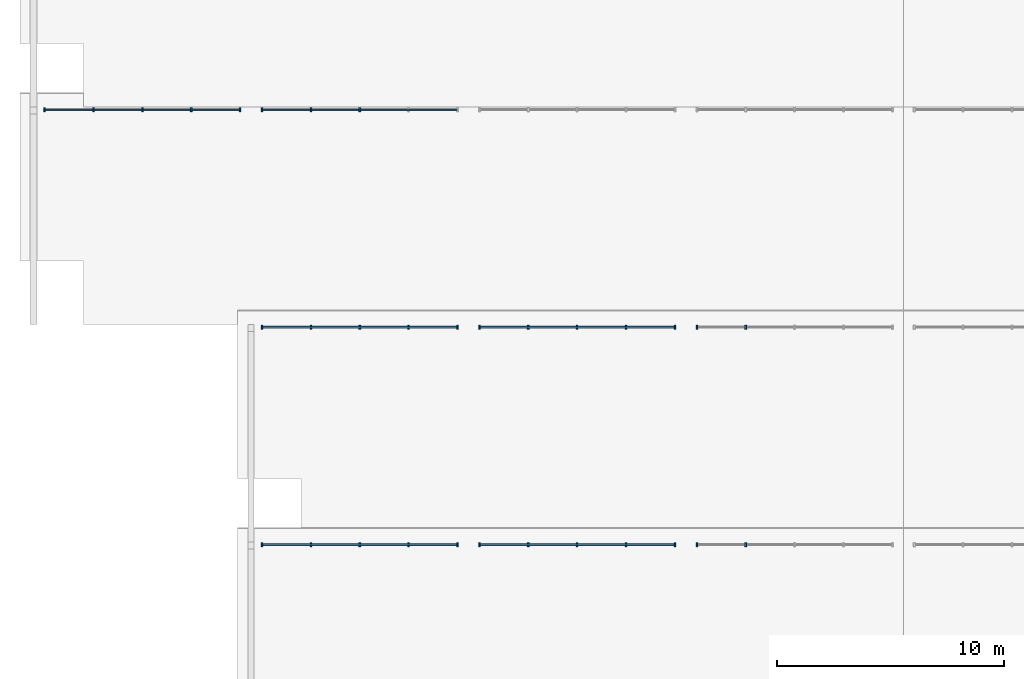
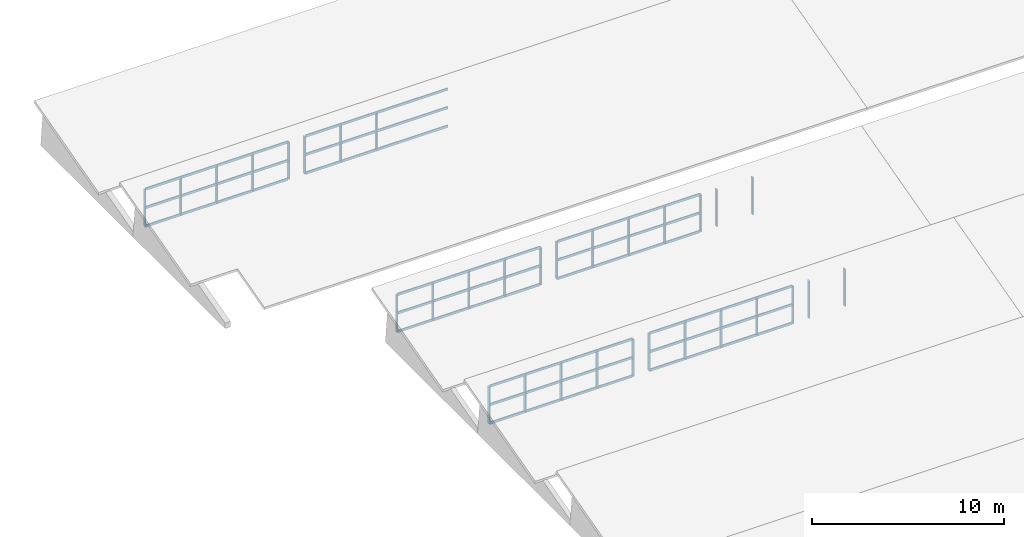
# One storey, part 4 of 18: 50 members, 8 elements without a shape of their own.
"""IFC4 building model written with IfcOpenShell, lengths in metres."""

from ifc_helpers import new_model, si_unit, direction, frame, origin, origin_2d, place, context, subcontext, project, spatial, rectangle, extrude, material, layer, layer_set, material_profile, profile_set, type_object, element, aggregate, save


model = new_model("IFC4")

# Units and contexts
model_context = context("Model", 3, precision=1e-05, world=origin(), true_north=direction((0.0, 1.0)))
body_context = subcontext(model_context, "Body", "Model", "MODEL_VIEW")
ifc_project = project(units=[si_unit("LENGTHUNIT", "METRE"), si_unit("AREAUNIT", "SQUARE_METRE"), si_unit("VOLUMEUNIT", "CUBIC_METRE"), si_unit("PLANEANGLEUNIT", "RADIAN"), si_unit("MASSUNIT", "GRAM", prefix="KILO")], contexts=[model_context])

# Site, building, storey
site_placement = place(None, origin())
site = spatial("IfcSite", under=ifc_project, at=site_placement, CompositionType="ELEMENT")
building_placement = place(site_placement, origin())
building = spatial("IfcBuilding", under=site, at=building_placement, Name="Bempovik Park Faculty of Sciences", CompositionType="ELEMENT")
storey_placement = place(building_placement, frame((0.0, 0.0, 50.10009765625)))
storey = spatial("IfcBuildingStorey", under=building, at=storey_placement, Name="Roof", CompositionType="ELEMENT", Elevation=50.10009765625)

# Curtain wall, members
ifc_material_1 = material(Name="Tempered laminated low-E glass", Category="glass")
ifc_layer_1 = layer(ifc_material_1, 0.159912109375)
ifc_layer_set_1 = layer_set([ifc_layer_1], Name="Tempered laminated low-E glass")
curtain_wall_type_1 = type_object("IfcCurtainWallType", Name="CW-17 Curtain 7200x2550", PredefinedType="USERDEFINED", material=ifc_layer_set_1)
curtain_wall_1_placement = place(storey_placement, origin())
curtain_wall_1 = element("IfcCurtainWall", 1, at=curtain_wall_1_placement, inside=storey, type_object=curtain_wall_type_1, Name="V1 Sawtooth North-Light Clerestory Bay 4 (60.0-69.6)", ObjectType="NORTH LIGHT CLERESTORY", PredefinedType="USERDEFINED")
ifc_material_2 = material(Name="Anodised aluminium", Category="aluminium")
ifc_material_profile_1 = material_profile(ifc_material_2, rectangle(XDim=0.070068359375, YDim=0.179931640625, at=origin_2d()), Name="ALU-M 70x180")
ifc_profile_set_1 = profile_set([ifc_material_profile_1], Name="Anodised aluminium")
member_type_1 = type_object("IfcMemberType", Name="ML-26 ALU-M 70x180", PredefinedType="MULLION", material=ifc_profile_set_1)
member_1_placement = place(storey_placement, frame((60.47998046875, 58.080078125, -30.2001953125), z_axis=(0.0, 0.0, 1.0), x_axis=(1.0, 0.0, 0.0)))
member_1 = element("IfcMember", 2, at=member_1_placement, type_object=member_type_1, Name="CW-NL-V1-B4-600 Mullion 0", PredefinedType="MULLION", context=body_context, shape_type="SweptSolid", body=[
    extrude(rectangle(XDim=0.070068359375, YDim=0.179931640625, at=origin_2d()), origin(), (0.0, 0.0, 1.0), 2.352294921875),
])
member_2_placement = place(storey_placement, frame((62.639892578125, 58.080078125, -30.2001953125), z_axis=(0.0, 0.0, 1.0), x_axis=(1.0, 0.0, 0.0)))
member_2 = element("IfcMember", 3, at=member_2_placement, type_object=member_type_1, Name="CW-NL-V1-B4-600 Mullion 1", PredefinedType="MULLION", context=body_context, shape_type="SweptSolid", body=[
    extrude(rectangle(XDim=0.070068359375, YDim=0.179931640625, at=origin_2d()), origin(), (0.0, 0.0, 1.0), 2.352294921875),
])
member_3_placement = place(storey_placement, frame((64.800048828125, 58.080078125, -30.2001953125), z_axis=(0.0, 0.0, 1.0), x_axis=(1.0, 0.0, 0.0)))
member_3 = element("IfcMember", 4, at=member_3_placement, type_object=member_type_1, Name="CW-NL-V1-B4-600 Mullion 2", PredefinedType="MULLION", context=body_context, shape_type="SweptSolid", body=[
    extrude(rectangle(XDim=0.070068359375, YDim=0.179931640625, at=origin_2d()), origin(), (0.0, 0.0, 1.0), 2.352294921875),
])
member_4_placement = place(storey_placement, frame((66.9599609375, 58.080078125, -30.2001953125), z_axis=(0.0, 0.0, 1.0), x_axis=(1.0, 0.0, 0.0)))
member_4 = element("IfcMember", 5, at=member_4_placement, type_object=member_type_1, Name="CW-NL-V1-B4-600 Mullion 3", PredefinedType="MULLION", context=body_context, shape_type="SweptSolid", body=[
    extrude(rectangle(XDim=0.070068359375, YDim=0.179931640625, at=origin_2d()), origin(), (0.0, 0.0, 1.0), 2.352294921875),
])
member_5_placement = place(storey_placement, frame((69.1201171875, 58.080078125, -30.2001953125), z_axis=(0.0, 0.0, 1.0), x_axis=(1.0, 0.0, 0.0)))
member_5 = element("IfcMember", 6, at=member_5_placement, type_object=member_type_1, Name="CW-NL-V1-B4-600 Mullion 4", PredefinedType="MULLION", context=body_context, shape_type="SweptSolid", body=[
    extrude(rectangle(XDim=0.070068359375, YDim=0.179931640625, at=origin_2d()), origin(), (0.0, 0.0, 1.0), 2.352294921875),
])

ifc_layer_2 = layer(ifc_material_1, 0.159912109375)
ifc_layer_set_2 = layer_set([ifc_layer_2], Name="Tempered laminated low-E glass")
curtain_wall_type_2 = type_object("IfcCurtainWallType", Name="CW-53 Curtain 8000x2550", PredefinedType="USERDEFINED", material=ifc_layer_set_2)
curtain_wall_2_placement = place(storey_placement, origin())
curtain_wall_2 = element("IfcCurtainWall", 7, at=curtain_wall_2_placement, inside=storey, type_object=curtain_wall_type_2, Name="V1 Sawtooth North-Light Clerestory Bay 4 (69.6-79.2)", ObjectType="NORTH LIGHT CLERESTORY", PredefinedType="USERDEFINED")
member_6_placement = place(storey_placement, frame((70.080078125, 58.080078125, -30.2001953125), z_axis=(0.0, 0.0, 1.0), x_axis=(1.0, 0.0, 0.0)))
member_6 = element("IfcMember", 8, at=member_6_placement, type_object=member_type_1, Name="CW-NL-V1-B4-696 Mullion 0", PredefinedType="MULLION", context=body_context, shape_type="SweptSolid", body=[
    extrude(rectangle(XDim=0.070068359375, YDim=0.179931640625, at=origin_2d()), origin(), (0.0, 0.0, 1.0), 2.352294921875),
])
member_7_placement = place(storey_placement, frame((72.239990234375, 58.080078125, -30.2001953125), z_axis=(0.0, 0.0, 1.0), x_axis=(1.0, 0.0, 0.0)))
member_7 = element("IfcMember", 9, at=member_7_placement, type_object=member_type_1, Name="CW-NL-V1-B4-696 Mullion 1", PredefinedType="MULLION", context=body_context, shape_type="SweptSolid", body=[
    extrude(rectangle(XDim=0.070068359375, YDim=0.179931640625, at=origin_2d()), origin(), (0.0, 0.0, 1.0), 2.352294921875),
])
member_8_placement = place(storey_placement, frame((74.39990234375, 58.080078125, -30.2001953125), z_axis=(0.0, 0.0, 1.0), x_axis=(1.0, 0.0, 0.0)))
member_8 = element("IfcMember", 10, at=member_8_placement, type_object=member_type_1, Name="CW-NL-V1-B4-696 Mullion 2", PredefinedType="MULLION", context=body_context, shape_type="SweptSolid", body=[
    extrude(rectangle(XDim=0.070068359375, YDim=0.179931640625, at=origin_2d()), origin(), (0.0, 0.0, 1.0), 2.352294921875),
])
member_9_placement = place(storey_placement, frame((76.56005859375, 58.080078125, -30.2001953125), z_axis=(0.0, 0.0, 1.0), x_axis=(1.0, 0.0, 0.0)))
member_9 = element("IfcMember", 11, at=member_9_placement, type_object=member_type_1, Name="CW-NL-V1-B4-696 Mullion 3", PredefinedType="MULLION", context=body_context, shape_type="SweptSolid", body=[
    extrude(rectangle(XDim=0.070068359375, YDim=0.179931640625, at=origin_2d()), origin(), (0.0, 0.0, 1.0), 2.352294921875),
])
member_10_placement = place(storey_placement, frame((78.719970703125, 58.080078125, -30.2001953125), z_axis=(0.0, 0.0, 1.0), x_axis=(1.0, 0.0, 0.0)))
member_10 = element("IfcMember", 12, at=member_10_placement, type_object=member_type_1, Name="CW-NL-V1-B4-696 Mullion 4", PredefinedType="MULLION", context=body_context, shape_type="SweptSolid", body=[
    extrude(rectangle(XDim=0.070068359375, YDim=0.179931640625, at=origin_2d()), origin(), (0.0, 0.0, 1.0), 2.352294921875),
])

curtain_wall_3_placement = place(storey_placement, origin())
curtain_wall_3 = element("IfcCurtainWall", 13, at=curtain_wall_3_placement, inside=storey, type_object=curtain_wall_type_2, Name="V1 Sawtooth North-Light Clerestory Bay 4 (79.2-88.8)", ObjectType="NORTH LIGHT CLERESTORY", PredefinedType="USERDEFINED")
member_11_placement = place(storey_placement, frame((79.679931640625, 58.080078125, -30.2001953125), z_axis=(0.0, 0.0, 1.0), x_axis=(1.0, 0.0, 0.0)))
member_11 = element("IfcMember", 14, at=member_11_placement, type_object=member_type_1, Name="CW-NL-V1-B4-792 Mullion 0", PredefinedType="MULLION", context=body_context, shape_type="SweptSolid", body=[
    extrude(rectangle(XDim=0.070068359375, YDim=0.179931640625, at=origin_2d()), origin(), (0.0, 0.0, 1.0), 2.352294921875),
])
member_12_placement = place(storey_placement, frame((81.840087890625, 58.080078125, -30.2001953125), z_axis=(0.0, 0.0, 1.0), x_axis=(1.0, 0.0, 0.0)))
member_12 = element("IfcMember", 15, at=member_12_placement, type_object=member_type_1, Name="CW-NL-V1-B4-792 Mullion 1", PredefinedType="MULLION", context=body_context, shape_type="SweptSolid", body=[
    extrude(rectangle(XDim=0.070068359375, YDim=0.179931640625, at=origin_2d()), origin(), (0.0, 0.0, 1.0), 2.352294921875),
])
aggregate(curtain_wall_3, [member_11, member_12])

curtain_wall_4_placement = place(storey_placement, origin())
curtain_wall_4 = element("IfcCurtainWall", 16, at=curtain_wall_4_placement, inside=storey, type_object=curtain_wall_type_1, Name="V1 Sawtooth North-Light Clerestory Bay 5 (60.0-69.6)", ObjectType="NORTH LIGHT CLERESTORY", PredefinedType="USERDEFINED")
member_13_placement = place(storey_placement, frame((60.47998046875, 67.679931640625, -30.2001953125), z_axis=(0.0, 0.0, 1.0), x_axis=(1.0, 0.0, 0.0)))
member_13 = element("IfcMember", 17, at=member_13_placement, type_object=member_type_1, Name="CW-NL-V1-B5-600 Mullion 0", PredefinedType="MULLION", context=body_context, shape_type="SweptSolid", body=[
    extrude(rectangle(XDim=0.070068359375, YDim=0.179931640625, at=origin_2d()), origin(), (0.0, 0.0, 1.0), 2.352294921875),
])
member_14_placement = place(storey_placement, frame((62.639892578125, 67.679931640625, -30.2001953125), z_axis=(0.0, 0.0, 1.0), x_axis=(1.0, 0.0, 0.0)))
member_14 = element("IfcMember", 18, at=member_14_placement, type_object=member_type_1, Name="CW-NL-V1-B5-600 Mullion 1", PredefinedType="MULLION", context=body_context, shape_type="SweptSolid", body=[
    extrude(rectangle(XDim=0.070068359375, YDim=0.179931640625, at=origin_2d()), origin(), (0.0, 0.0, 1.0), 2.352294921875),
])
member_15_placement = place(storey_placement, frame((64.800048828125, 67.679931640625, -30.2001953125), z_axis=(0.0, 0.0, 1.0), x_axis=(1.0, 0.0, 0.0)))
member_15 = element("IfcMember", 19, at=member_15_placement, type_object=member_type_1, Name="CW-NL-V1-B5-600 Mullion 2", PredefinedType="MULLION", context=body_context, shape_type="SweptSolid", body=[
    extrude(rectangle(XDim=0.070068359375, YDim=0.179931640625, at=origin_2d()), origin(), (0.0, 0.0, 1.0), 2.352294921875),
])
member_16_placement = place(storey_placement, frame((66.9599609375, 67.679931640625, -30.2001953125), z_axis=(0.0, 0.0, 1.0), x_axis=(1.0, 0.0, 0.0)))
member_16 = element("IfcMember", 20, at=member_16_placement, type_object=member_type_1, Name="CW-NL-V1-B5-600 Mullion 3", PredefinedType="MULLION", context=body_context, shape_type="SweptSolid", body=[
    extrude(rectangle(XDim=0.070068359375, YDim=0.179931640625, at=origin_2d()), origin(), (0.0, 0.0, 1.0), 2.352294921875),
])
member_17_placement = place(storey_placement, frame((69.1201171875, 67.679931640625, -30.2001953125), z_axis=(0.0, 0.0, 1.0), x_axis=(1.0, 0.0, 0.0)))
member_17 = element("IfcMember", 21, at=member_17_placement, type_object=member_type_1, Name="CW-NL-V1-B5-600 Mullion 4", PredefinedType="MULLION", context=body_context, shape_type="SweptSolid", body=[
    extrude(rectangle(XDim=0.070068359375, YDim=0.179931640625, at=origin_2d()), origin(), (0.0, 0.0, 1.0), 2.352294921875),
])

curtain_wall_5_placement = place(storey_placement, origin())
curtain_wall_5 = element("IfcCurtainWall", 22, at=curtain_wall_5_placement, inside=storey, type_object=curtain_wall_type_2, Name="V1 Sawtooth North-Light Clerestory Bay 5 (69.6-79.2)", ObjectType="NORTH LIGHT CLERESTORY", PredefinedType="USERDEFINED")
member_18_placement = place(storey_placement, frame((70.080078125, 67.679931640625, -30.2001953125), z_axis=(0.0, 0.0, 1.0), x_axis=(1.0, 0.0, 0.0)))
member_18 = element("IfcMember", 23, at=member_18_placement, type_object=member_type_1, Name="CW-NL-V1-B5-696 Mullion 0", PredefinedType="MULLION", context=body_context, shape_type="SweptSolid", body=[
    extrude(rectangle(XDim=0.070068359375, YDim=0.179931640625, at=origin_2d()), origin(), (0.0, 0.0, 1.0), 2.352294921875),
])
member_19_placement = place(storey_placement, frame((72.239990234375, 67.679931640625, -30.2001953125), z_axis=(0.0, 0.0, 1.0), x_axis=(1.0, 0.0, 0.0)))
member_19 = element("IfcMember", 24, at=member_19_placement, type_object=member_type_1, Name="CW-NL-V1-B5-696 Mullion 1", PredefinedType="MULLION", context=body_context, shape_type="SweptSolid", body=[
    extrude(rectangle(XDim=0.070068359375, YDim=0.179931640625, at=origin_2d()), origin(), (0.0, 0.0, 1.0), 2.352294921875),
])
member_20_placement = place(storey_placement, frame((74.39990234375, 67.679931640625, -30.2001953125), z_axis=(0.0, 0.0, 1.0), x_axis=(1.0, 0.0, 0.0)))
member_20 = element("IfcMember", 25, at=member_20_placement, type_object=member_type_1, Name="CW-NL-V1-B5-696 Mullion 2", PredefinedType="MULLION", context=body_context, shape_type="SweptSolid", body=[
    extrude(rectangle(XDim=0.070068359375, YDim=0.179931640625, at=origin_2d()), origin(), (0.0, 0.0, 1.0), 2.352294921875),
])
member_21_placement = place(storey_placement, frame((76.56005859375, 67.679931640625, -30.2001953125), z_axis=(0.0, 0.0, 1.0), x_axis=(1.0, 0.0, 0.0)))
member_21 = element("IfcMember", 26, at=member_21_placement, type_object=member_type_1, Name="CW-NL-V1-B5-696 Mullion 3", PredefinedType="MULLION", context=body_context, shape_type="SweptSolid", body=[
    extrude(rectangle(XDim=0.070068359375, YDim=0.179931640625, at=origin_2d()), origin(), (0.0, 0.0, 1.0), 2.352294921875),
])
member_22_placement = place(storey_placement, frame((78.719970703125, 67.679931640625, -30.2001953125), z_axis=(0.0, 0.0, 1.0), x_axis=(1.0, 0.0, 0.0)))
member_22 = element("IfcMember", 27, at=member_22_placement, type_object=member_type_1, Name="CW-NL-V1-B5-696 Mullion 4", PredefinedType="MULLION", context=body_context, shape_type="SweptSolid", body=[
    extrude(rectangle(XDim=0.070068359375, YDim=0.179931640625, at=origin_2d()), origin(), (0.0, 0.0, 1.0), 2.352294921875),
])

curtain_wall_6_placement = place(storey_placement, origin())
curtain_wall_6 = element("IfcCurtainWall", 28, at=curtain_wall_6_placement, inside=storey, type_object=curtain_wall_type_2, Name="V1 Sawtooth North-Light Clerestory Bay 5 (79.2-88.8)", ObjectType="NORTH LIGHT CLERESTORY", PredefinedType="USERDEFINED")
member_23_placement = place(storey_placement, frame((79.679931640625, 67.679931640625, -30.2001953125), z_axis=(0.0, 0.0, 1.0), x_axis=(1.0, 0.0, 0.0)))
member_23 = element("IfcMember", 29, at=member_23_placement, type_object=member_type_1, Name="CW-NL-V1-B5-792 Mullion 0", PredefinedType="MULLION", context=body_context, shape_type="SweptSolid", body=[
    extrude(rectangle(XDim=0.070068359375, YDim=0.179931640625, at=origin_2d()), origin(), (0.0, 0.0, 1.0), 2.352294921875),
])
member_24_placement = place(storey_placement, frame((81.840087890625, 67.679931640625, -30.2001953125), z_axis=(0.0, 0.0, 1.0), x_axis=(1.0, 0.0, 0.0)))
member_24 = element("IfcMember", 30, at=member_24_placement, type_object=member_type_1, Name="CW-NL-V1-B5-792 Mullion 1", PredefinedType="MULLION", context=body_context, shape_type="SweptSolid", body=[
    extrude(rectangle(XDim=0.070068359375, YDim=0.179931640625, at=origin_2d()), origin(), (0.0, 0.0, 1.0), 2.352294921875),
])
aggregate(curtain_wall_6, [member_23, member_24])

ifc_layer_3 = layer(ifc_material_1, 0.159912109375)
ifc_layer_set_3 = layer_set([ifc_layer_3], Name="Tempered laminated low-E glass")
curtain_wall_type_3 = type_object("IfcCurtainWallType", Name="CW-29 Curtain 6400x2550", PredefinedType="USERDEFINED", material=ifc_layer_set_3)
curtain_wall_7_placement = place(storey_placement, origin())
curtain_wall_7 = element("IfcCurtainWall", 31, at=curtain_wall_7_placement, inside=storey, type_object=curtain_wall_type_3, Name="V2 Atrium Sawtooth North-Light Clerestory Bay 1 (50.4-60.0)", ObjectType="NORTH LIGHT CLERESTORY", PredefinedType="USERDEFINED")
member_25_placement = place(storey_placement, frame((50.8798828125, 77.280029296875, -25.97021484375), z_axis=(0.0, 0.0, 1.0), x_axis=(1.0, 0.0, 0.0)))
member_25 = element("IfcMember", 32, at=member_25_placement, type_object=member_type_1, Name="CW-NL-V2-B1-504 Mullion 0", PredefinedType="MULLION", context=body_context, shape_type="SweptSolid", body=[
    extrude(rectangle(XDim=0.070068359375, YDim=0.179931640625, at=origin_2d()), origin(), (0.0, 0.0, 1.0), 2.3525390625),
])
member_26_placement = place(storey_placement, frame((53.0400390625, 77.280029296875, -25.97021484375), z_axis=(0.0, 0.0, 1.0), x_axis=(1.0, 0.0, 0.0)))
member_26 = element("IfcMember", 33, at=member_26_placement, type_object=member_type_1, Name="CW-NL-V2-B1-504 Mullion 1", PredefinedType="MULLION", context=body_context, shape_type="SweptSolid", body=[
    extrude(rectangle(XDim=0.070068359375, YDim=0.179931640625, at=origin_2d()), origin(), (0.0, 0.0, 1.0), 2.3525390625),
])
member_27_placement = place(storey_placement, frame((55.199951171875, 77.280029296875, -25.97021484375), z_axis=(0.0, 0.0, 1.0), x_axis=(1.0, 0.0, 0.0)))
member_27 = element("IfcMember", 34, at=member_27_placement, type_object=member_type_1, Name="CW-NL-V2-B1-504 Mullion 2", PredefinedType="MULLION", context=body_context, shape_type="SweptSolid", body=[
    extrude(rectangle(XDim=0.070068359375, YDim=0.179931640625, at=origin_2d()), origin(), (0.0, 0.0, 1.0), 2.3525390625),
])
member_28_placement = place(storey_placement, frame((57.360107421875, 77.280029296875, -25.97021484375), z_axis=(0.0, 0.0, 1.0), x_axis=(1.0, 0.0, 0.0)))
member_28 = element("IfcMember", 35, at=member_28_placement, type_object=member_type_1, Name="CW-NL-V2-B1-504 Mullion 3", PredefinedType="MULLION", context=body_context, shape_type="SweptSolid", body=[
    extrude(rectangle(XDim=0.070068359375, YDim=0.179931640625, at=origin_2d()), origin(), (0.0, 0.0, 1.0), 2.3525390625),
])
member_29_placement = place(storey_placement, frame((59.52001953125, 77.280029296875, -25.97021484375), z_axis=(0.0, 0.0, 1.0), x_axis=(1.0, 0.0, 0.0)))
member_29 = element("IfcMember", 36, at=member_29_placement, type_object=member_type_1, Name="CW-NL-V2-B1-504 Mullion 4", PredefinedType="MULLION", context=body_context, shape_type="SweptSolid", body=[
    extrude(rectangle(XDim=0.070068359375, YDim=0.179931640625, at=origin_2d()), origin(), (0.0, 0.0, 1.0), 2.3525390625),
])

ifc_layer_4 = layer(ifc_material_1, 0.159912109375)
ifc_layer_set_4 = layer_set([ifc_layer_4], Name="Tempered laminated low-E glass")
curtain_wall_type_4 = type_object("IfcCurtainWallType", Name="CW-15 Curtain 8000x2550", PredefinedType="USERDEFINED", material=ifc_layer_set_4)
curtain_wall_8_placement = place(storey_placement, origin())
curtain_wall_8 = element("IfcCurtainWall", 37, at=curtain_wall_8_placement, inside=storey, type_object=curtain_wall_type_4, Name="V2 Atrium Sawtooth North-Light Clerestory Bay 1 (60.0-69.6)", ObjectType="NORTH LIGHT CLERESTORY", PredefinedType="USERDEFINED")
member_30_placement = place(storey_placement, frame((60.47998046875, 77.280029296875, -25.97021484375), z_axis=(0.0, 0.0, 1.0), x_axis=(1.0, 0.0, 0.0)))
member_30 = element("IfcMember", 38, at=member_30_placement, type_object=member_type_1, Name="CW-NL-V2-B1-600 Mullion 0", PredefinedType="MULLION", context=body_context, shape_type="SweptSolid", body=[
    extrude(rectangle(XDim=0.070068359375, YDim=0.179931640625, at=origin_2d()), origin(), (0.0, 0.0, 1.0), 2.3525390625),
])
member_31_placement = place(storey_placement, frame((62.639892578125, 77.280029296875, -25.97021484375), z_axis=(0.0, 0.0, 1.0), x_axis=(1.0, 0.0, 0.0)))
member_31 = element("IfcMember", 39, at=member_31_placement, type_object=member_type_1, Name="CW-NL-V2-B1-600 Mullion 1", PredefinedType="MULLION", context=body_context, shape_type="SweptSolid", body=[
    extrude(rectangle(XDim=0.070068359375, YDim=0.179931640625, at=origin_2d()), origin(), (0.0, 0.0, 1.0), 2.3525390625),
])
member_32_placement = place(storey_placement, frame((64.800048828125, 77.280029296875, -25.97021484375), z_axis=(0.0, 0.0, 1.0), x_axis=(1.0, 0.0, 0.0)))
member_32 = element("IfcMember", 40, at=member_32_placement, type_object=member_type_1, Name="CW-NL-V2-B1-600 Mullion 2", PredefinedType="MULLION", context=body_context, shape_type="SweptSolid", body=[
    extrude(rectangle(XDim=0.070068359375, YDim=0.179931640625, at=origin_2d()), origin(), (0.0, 0.0, 1.0), 2.3525390625),
])

# Member
ifc_material_profile_2 = material_profile(ifc_material_2, rectangle(XDim=0.070068359375, YDim=0.14990234375, at=origin_2d()), Name="ALU-T 70x150")
ifc_profile_set_2 = profile_set([ifc_material_profile_2], Name="Anodised aluminium")
member_type_2 = type_object("IfcMemberType", Name="TR-21 ALU-T 70x150", PredefinedType="USERDEFINED", material=ifc_profile_set_2)
member_33_placement = place(storey_placement, frame((60.52001953125, 58.080078125, -30.2001953125), z_axis=(1.0, 0.0, 0.0), x_axis=(0.0, 1.0, 0.0)))
member_33 = element("IfcMember", 41, at=member_33_placement, type_object=member_type_2, Name="CW-NL-V1-B4-600 Transom 0", ObjectType="TRANSOM", PredefinedType="USERDEFINED", context=body_context, shape_type="SweptSolid", body=[
    extrude(rectangle(XDim=0.070068359375, YDim=0.14990234375, at=origin_2d()), origin(), (0.0, 0.0, 1.0), 8.56005859375),
])

member_34_placement = place(storey_placement, frame((60.52001953125, 58.080078125, -29.02392578125), z_axis=(1.0, 0.0, 0.0), x_axis=(0.0, 1.0, 0.0)))
member_34 = element("IfcMember", 42, at=member_34_placement, type_object=member_type_2, Name="CW-NL-V1-B4-600 Transom 1", ObjectType="TRANSOM", PredefinedType="USERDEFINED", context=body_context, shape_type="SweptSolid", body=[
    extrude(rectangle(XDim=0.070068359375, YDim=0.14990234375, at=origin_2d()), origin(), (0.0, 0.0, 1.0), 8.56005859375),
])

member_35_placement = place(storey_placement, frame((60.52001953125, 58.080078125, -27.847900390625), z_axis=(1.0, 0.0, 0.0), x_axis=(0.0, 1.0, 0.0)))
member_35 = element("IfcMember", 43, at=member_35_placement, type_object=member_type_2, Name="CW-NL-V1-B4-600 Transom 2", ObjectType="TRANSOM", PredefinedType="USERDEFINED", context=body_context, shape_type="SweptSolid", body=[
    extrude(rectangle(XDim=0.070068359375, YDim=0.14990234375, at=origin_2d()), origin(), (0.0, 0.0, 1.0), 8.56005859375),
])

aggregate(curtain_wall_1, [member_1, member_2, member_3, member_4, member_5, member_33, member_34, member_35])

member_36_placement = place(storey_placement, frame((70.1201171875, 58.080078125, -30.2001953125), z_axis=(1.0, 0.0, 0.0), x_axis=(0.0, 1.0, 0.0)))
member_36 = element("IfcMember", 44, at=member_36_placement, type_object=member_type_2, Name="CW-NL-V1-B4-696 Transom 0", ObjectType="TRANSOM", PredefinedType="USERDEFINED", context=body_context, shape_type="SweptSolid", body=[
    extrude(rectangle(XDim=0.070068359375, YDim=0.14990234375, at=origin_2d()), origin(), (0.0, 0.0, 1.0), 8.559814453125),
])

member_37_placement = place(storey_placement, frame((70.1201171875, 58.080078125, -29.02392578125), z_axis=(1.0, 0.0, 0.0), x_axis=(0.0, 1.0, 0.0)))
member_37 = element("IfcMember", 45, at=member_37_placement, type_object=member_type_2, Name="CW-NL-V1-B4-696 Transom 1", ObjectType="TRANSOM", PredefinedType="USERDEFINED", context=body_context, shape_type="SweptSolid", body=[
    extrude(rectangle(XDim=0.070068359375, YDim=0.14990234375, at=origin_2d()), origin(), (0.0, 0.0, 1.0), 8.559814453125),
])

member_38_placement = place(storey_placement, frame((70.1201171875, 58.080078125, -27.847900390625), z_axis=(1.0, 0.0, 0.0), x_axis=(0.0, 1.0, 0.0)))
member_38 = element("IfcMember", 46, at=member_38_placement, type_object=member_type_2, Name="CW-NL-V1-B4-696 Transom 2", ObjectType="TRANSOM", PredefinedType="USERDEFINED", context=body_context, shape_type="SweptSolid", body=[
    extrude(rectangle(XDim=0.070068359375, YDim=0.14990234375, at=origin_2d()), origin(), (0.0, 0.0, 1.0), 8.559814453125),
])

aggregate(curtain_wall_2, [member_6, member_7, member_8, member_9, member_10, member_36, member_37, member_38])

member_39_placement = place(storey_placement, frame((60.52001953125, 67.679931640625, -30.2001953125), z_axis=(1.0, 0.0, 0.0), x_axis=(0.0, 1.0, 0.0)))
member_39 = element("IfcMember", 47, at=member_39_placement, type_object=member_type_2, Name="CW-NL-V1-B5-600 Transom 0", ObjectType="TRANSOM", PredefinedType="USERDEFINED", context=body_context, shape_type="SweptSolid", body=[
    extrude(rectangle(XDim=0.070068359375, YDim=0.14990234375, at=origin_2d()), origin(), (0.0, 0.0, 1.0), 8.56005859375),
])

member_40_placement = place(storey_placement, frame((60.52001953125, 67.679931640625, -29.02392578125), z_axis=(1.0, 0.0, 0.0), x_axis=(0.0, 1.0, 0.0)))
member_40 = element("IfcMember", 48, at=member_40_placement, type_object=member_type_2, Name="CW-NL-V1-B5-600 Transom 1", ObjectType="TRANSOM", PredefinedType="USERDEFINED", context=body_context, shape_type="SweptSolid", body=[
    extrude(rectangle(XDim=0.070068359375, YDim=0.14990234375, at=origin_2d()), origin(), (0.0, 0.0, 1.0), 8.56005859375),
])

member_41_placement = place(storey_placement, frame((60.52001953125, 67.679931640625, -27.847900390625), z_axis=(1.0, 0.0, 0.0), x_axis=(0.0, 1.0, 0.0)))
member_41 = element("IfcMember", 49, at=member_41_placement, type_object=member_type_2, Name="CW-NL-V1-B5-600 Transom 2", ObjectType="TRANSOM", PredefinedType="USERDEFINED", context=body_context, shape_type="SweptSolid", body=[
    extrude(rectangle(XDim=0.070068359375, YDim=0.14990234375, at=origin_2d()), origin(), (0.0, 0.0, 1.0), 8.56005859375),
])

aggregate(curtain_wall_4, [member_13, member_14, member_15, member_16, member_17, member_39, member_40, member_41])

member_42_placement = place(storey_placement, frame((70.1201171875, 67.679931640625, -30.2001953125), z_axis=(1.0, 0.0, 0.0), x_axis=(0.0, 1.0, 0.0)))
member_42 = element("IfcMember", 50, at=member_42_placement, type_object=member_type_2, Name="CW-NL-V1-B5-696 Transom 0", ObjectType="TRANSOM", PredefinedType="USERDEFINED", context=body_context, shape_type="SweptSolid", body=[
    extrude(rectangle(XDim=0.070068359375, YDim=0.14990234375, at=origin_2d()), origin(), (0.0, 0.0, 1.0), 8.559814453125),
])

member_43_placement = place(storey_placement, frame((70.1201171875, 67.679931640625, -29.02392578125), z_axis=(1.0, 0.0, 0.0), x_axis=(0.0, 1.0, 0.0)))
member_43 = element("IfcMember", 51, at=member_43_placement, type_object=member_type_2, Name="CW-NL-V1-B5-696 Transom 1", ObjectType="TRANSOM", PredefinedType="USERDEFINED", context=body_context, shape_type="SweptSolid", body=[
    extrude(rectangle(XDim=0.070068359375, YDim=0.14990234375, at=origin_2d()), origin(), (0.0, 0.0, 1.0), 8.559814453125),
])

member_44_placement = place(storey_placement, frame((70.1201171875, 67.679931640625, -27.847900390625), z_axis=(1.0, 0.0, 0.0), x_axis=(0.0, 1.0, 0.0)))
member_44 = element("IfcMember", 52, at=member_44_placement, type_object=member_type_2, Name="CW-NL-V1-B5-696 Transom 2", ObjectType="TRANSOM", PredefinedType="USERDEFINED", context=body_context, shape_type="SweptSolid", body=[
    extrude(rectangle(XDim=0.070068359375, YDim=0.14990234375, at=origin_2d()), origin(), (0.0, 0.0, 1.0), 8.559814453125),
])

aggregate(curtain_wall_5, [member_18, member_19, member_20, member_21, member_22, member_42, member_43, member_44])

member_45_placement = place(storey_placement, frame((50.919921875, 77.280029296875, -25.97021484375), z_axis=(1.0, 0.0, 0.0), x_axis=(0.0, 1.0, 0.0)))
member_45 = element("IfcMember", 53, at=member_45_placement, type_object=member_type_2, Name="CW-NL-V2-B1-504 Transom 0", ObjectType="TRANSOM", PredefinedType="USERDEFINED", context=body_context, shape_type="SweptSolid", body=[
    extrude(rectangle(XDim=0.070068359375, YDim=0.14990234375, at=origin_2d()), origin(), (0.0, 0.0, 1.0), 8.56005859375),
])

member_46_placement = place(storey_placement, frame((50.919921875, 77.280029296875, -24.7939453125), z_axis=(1.0, 0.0, 0.0), x_axis=(0.0, 1.0, 0.0)))
member_46 = element("IfcMember", 54, at=member_46_placement, type_object=member_type_2, Name="CW-NL-V2-B1-504 Transom 1", ObjectType="TRANSOM", PredefinedType="USERDEFINED", context=body_context, shape_type="SweptSolid", body=[
    extrude(rectangle(XDim=0.070068359375, YDim=0.14990234375, at=origin_2d()), origin(), (0.0, 0.0, 1.0), 8.56005859375),
])

member_47_placement = place(storey_placement, frame((50.919921875, 77.280029296875, -23.61767578125), z_axis=(1.0, 0.0, 0.0), x_axis=(0.0, 1.0, 0.0)))
member_47 = element("IfcMember", 55, at=member_47_placement, type_object=member_type_2, Name="CW-NL-V2-B1-504 Transom 2", ObjectType="TRANSOM", PredefinedType="USERDEFINED", context=body_context, shape_type="SweptSolid", body=[
    extrude(rectangle(XDim=0.070068359375, YDim=0.14990234375, at=origin_2d()), origin(), (0.0, 0.0, 1.0), 8.56005859375),
])

aggregate(curtain_wall_7, [member_25, member_26, member_27, member_28, member_29, member_45, member_46, member_47])

member_48_placement = place(storey_placement, frame((60.52001953125, 77.280029296875, -25.97021484375), z_axis=(1.0, 0.0, 0.0), x_axis=(0.0, 1.0, 0.0)))
member_48 = element("IfcMember", 56, at=member_48_placement, type_object=member_type_2, Name="CW-NL-V2-B1-600 Transom 0", ObjectType="TRANSOM", PredefinedType="USERDEFINED", context=body_context, shape_type="SweptSolid", body=[
    extrude(rectangle(XDim=0.070068359375, YDim=0.14990234375, at=origin_2d()), origin(), (0.0, 0.0, 1.0), 8.56005859375),
])

member_49_placement = place(storey_placement, frame((60.52001953125, 77.280029296875, -24.7939453125), z_axis=(1.0, 0.0, 0.0), x_axis=(0.0, 1.0, 0.0)))
member_49 = element("IfcMember", 57, at=member_49_placement, type_object=member_type_2, Name="CW-NL-V2-B1-600 Transom 1", ObjectType="TRANSOM", PredefinedType="USERDEFINED", context=body_context, shape_type="SweptSolid", body=[
    extrude(rectangle(XDim=0.070068359375, YDim=0.14990234375, at=origin_2d()), origin(), (0.0, 0.0, 1.0), 8.56005859375),
])

member_50_placement = place(storey_placement, frame((60.52001953125, 77.280029296875, -23.61767578125), z_axis=(1.0, 0.0, 0.0), x_axis=(0.0, 1.0, 0.0)))
member_50 = element("IfcMember", 58, at=member_50_placement, type_object=member_type_2, Name="CW-NL-V2-B1-600 Transom 2", ObjectType="TRANSOM", PredefinedType="USERDEFINED", context=body_context, shape_type="SweptSolid", body=[
    extrude(rectangle(XDim=0.070068359375, YDim=0.14990234375, at=origin_2d()), origin(), (0.0, 0.0, 1.0), 8.56005859375),
])

aggregate(curtain_wall_8, [member_30, member_31, member_32, member_48, member_49, member_50])

save(model, "model.ifc")
